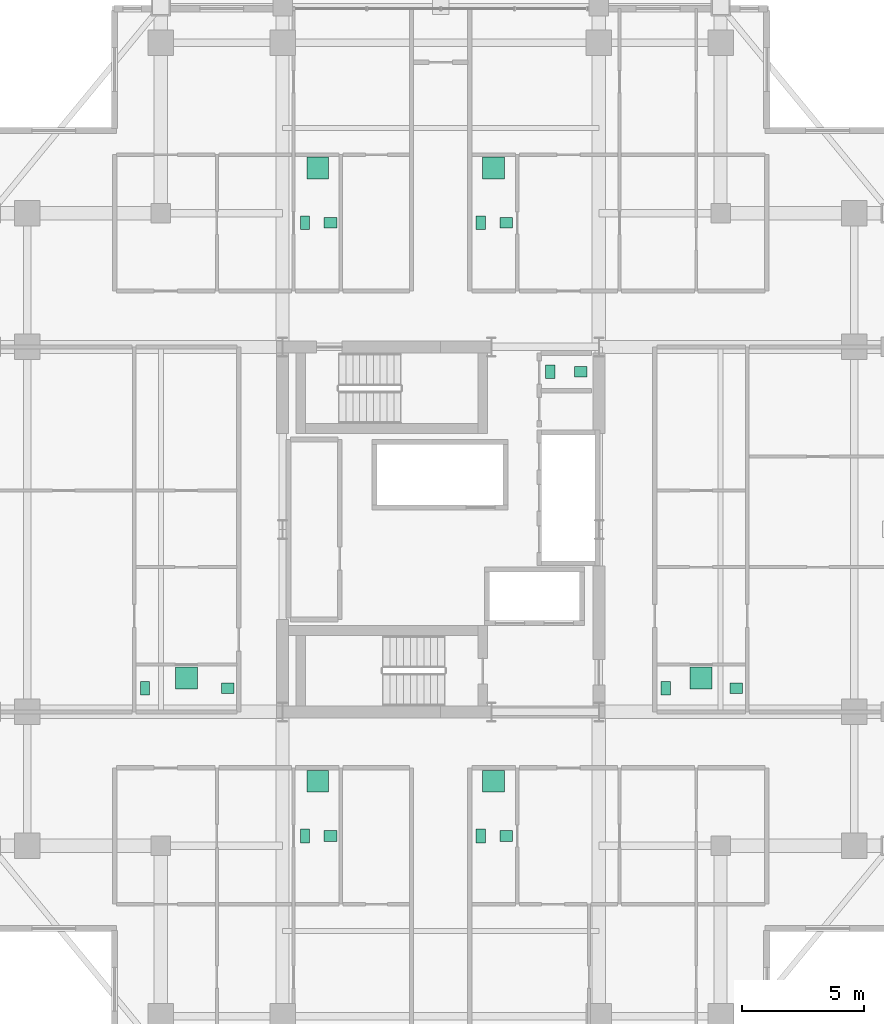
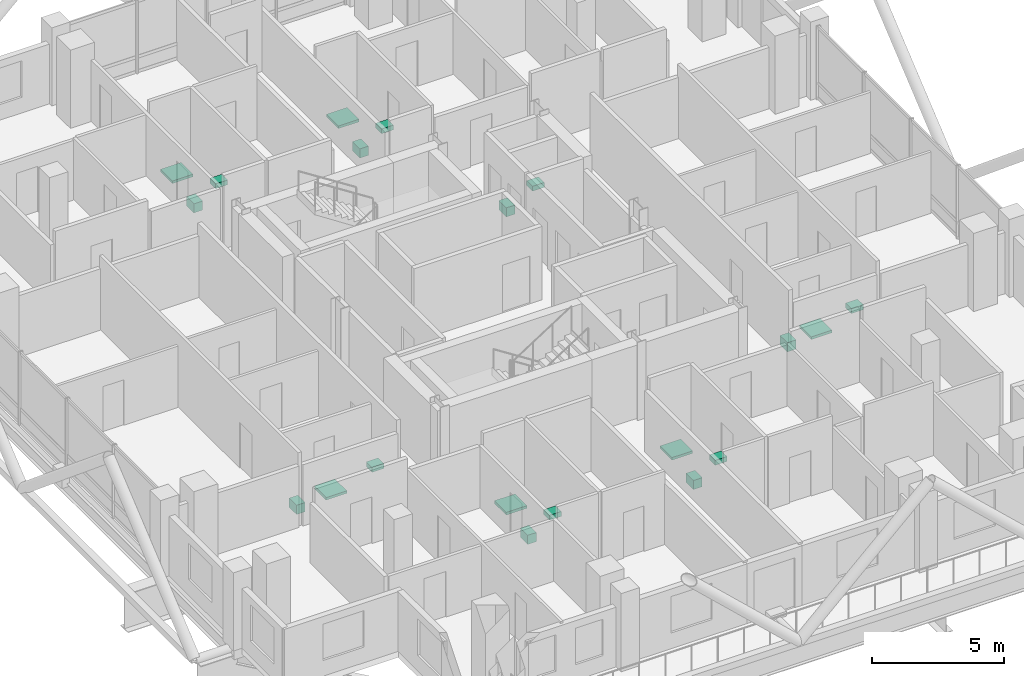
# One storey, part 23 of 23: 20 sanitary terminals.
"""IFC4 building model written with IfcOpenShell, lengths in metres."""

from ifc_helpers import new_model, si_unit, direction, frame, origin, origin_2d, place, context, subcontext, project, spatial, rectangle, extrude, material, type_object, element, save


model = new_model("IFC4")

# Units and contexts
model_context = context("Model", 3, precision=1e-05, world=origin(), true_north=direction((0.0, 1.0)))
body_context = subcontext(model_context, "Body", "Model", "MODEL_VIEW")
ifc_project = project(units=[si_unit("LENGTHUNIT", "METRE"), si_unit("AREAUNIT", "SQUARE_METRE"), si_unit("VOLUMEUNIT", "CUBIC_METRE"), si_unit("PLANEANGLEUNIT", "RADIAN"), si_unit("MASSUNIT", "GRAM", prefix="KILO")], contexts=[model_context])

# Site, building, storey
site_placement = place(None, origin())
site = spatial("IfcSite", under=ifc_project, at=site_placement, CompositionType="ELEMENT")
building_placement = place(site_placement, origin())
building = spatial("IfcBuilding", under=site, at=building_placement, Name="Barlavira Tower and Art Museum", CompositionType="ELEMENT")
storey_placement = place(building_placement, frame((0.0, 0.0, 165.60009765625)))
storey = spatial("IfcBuildingStorey", under=building, at=storey_placement, Name="L42", CompositionType="ELEMENT", Elevation=165.60009765625)

# Sanitary terminals
ifc_material = material(Name="Vitreous glazed ceramic", Category="ceramic")
sanitary_terminal_type_1 = type_object("IfcSanitaryTerminalType", Name="Countertop Ceramic Wash Hand Basin", PredefinedType="WASHHANDBASIN", material=ifc_material)
for number, where, z_axis, x_axis, name in (
    (1, (5.75, 6.47509765625, 0.73974609375), (0.0, 0.0, 1.0), (1.0, 0.0, 0.0), "L42-C-WC1 Wash Basin"),
    (2, (-4.530029296875, -12.60009765625, 0.73974609375), (0.0, 0.0, 1.0), (1.0, 0.0, 0.0), "L42-SW1-BTH1 Wash Basin"),
    (3, (2.699951171875, -12.60009765625, 0.73974609375), (0.0, 0.0, 1.0), (1.0, 0.0, 0.0), "L42-SE1-BTH1 Wash Basin"),
    (4, (-4.530029296875, 12.60009765625, 0.73974609375), (0.0, 0.0, 1.0), (1.0, 0.0, 0.0), "L42-NW1-BTH1 Wash Basin"),
    (5, (2.699951171875, 12.60009765625, 0.73974609375), (0.0, 0.0, 1.0), (1.0, 0.0, 0.0), "L42-NE1-BTH1 Wash Basin"),
    (6, (-8.75, -6.52490234375, 0.73974609375), (0.0, 0.0, 1.0), (1.0, 0.0, 0.0), "L42-W1-BTH1 Wash Basin"),
    (7, (12.14990234375, -6.52490234375, 0.73974609375), (0.0, 0.0, 1.0), (1.0, 0.0, 0.0), "L42-E1-BTH1 Wash Basin"),
):
    element("IfcSanitaryTerminal", number, at=place(storey_placement, frame(where, z_axis=z_axis, x_axis=x_axis)), inside=storey, type_object=sanitary_terminal_type_1, Name=name, PredefinedType="WASHHANDBASIN", context=body_context, shape_type="SweptSolid", body=[
        extrude(rectangle(XDim=0.52001953125, YDim=0.43994140625, at=origin_2d()), origin(), (0.0, 0.0, 1.0), 0.219970703125),
    ])
sanitary_terminal_type_2 = type_object("IfcSanitaryTerminalType", Name="Walk-In Thermostatic Rain Shower Unit", PredefinedType="SHOWER", material=ifc_material)
for number, where, z_axis, x_axis, name in (
    (8, (-5.054931640625, -10.35009765625, -0.000244140625), (0.0, 0.0, 1.0), (1.0, 0.0, 0.0), "L42-SW1-BTH1 Rain Shower"),
    (9, (2.175048828125, -10.35009765625, -0.000244140625), (0.0, 0.0, 1.0), (1.0, 0.0, 0.0), "L42-SE1-BTH1 Rain Shower"),
    (10, (-5.054931640625, 14.85009765625, -0.000244140625), (0.0, 0.0, 1.0), (1.0, 0.0, 0.0), "L42-NW1-BTH1 Rain Shower"),
    (11, (2.175048828125, 14.85009765625, -0.000244140625), (0.0, 0.0, 1.0), (1.0, 0.0, 0.0), "L42-NE1-BTH1 Rain Shower"),
    (12, (-10.449951171875, -6.10009765625, -0.000244140625), (0.0, 0.0, 1.0), (1.0, 0.0, 0.0), "L42-W1-BTH1 Rain Shower"),
    (13, (10.699951171875, -6.10009765625, -0.000244140625), (0.0, 0.0, 1.0), (1.0, 0.0, 0.0), "L42-E1-BTH1 Rain Shower"),
):
    element("IfcSanitaryTerminal", number, at=place(storey_placement, frame(where, z_axis=z_axis, x_axis=x_axis)), inside=storey, type_object=sanitary_terminal_type_2, Name=name, PredefinedType="SHOWER", context=body_context, shape_type="SweptSolid", body=[
        extrude(rectangle(XDim=0.89990234375, YDim=0.89990234375, at=origin_2d()), origin(), (0.0, 0.0, 1.0), 0.1201171875),
    ])
sanitary_terminal_type_3 = type_object("IfcSanitaryTerminalType", Name="Wall-Hung Dual-Flush Vitreous WC Pan", PredefinedType="TOILETPAN", material=ifc_material)
for number, where, z_axis, x_axis, name in (
    (14, (4.5, 6.47509765625, 0.0), (0.0, 0.0, 1.0), (1.0, 0.0, 0.0), "L42-C-WC1 WC Pan"),
    (15, (-5.580078125, -12.60009765625, 0.0), (0.0, 0.0, 1.0), (1.0, 0.0, 0.0), "L42-SW1-BTH1 WC Pan"),
    (16, (1.64990234375, -12.60009765625, 0.0), (0.0, 0.0, 1.0), (1.0, 0.0, 0.0), "L42-SE1-BTH1 WC Pan"),
    (17, (-5.580078125, 12.60009765625, 0.0), (0.0, 0.0, 1.0), (1.0, 0.0, 0.0), "L42-NW1-BTH1 WC Pan"),
    (18, (1.64990234375, 12.60009765625, 0.0), (0.0, 0.0, 1.0), (1.0, 0.0, 0.0), "L42-NE1-BTH1 WC Pan"),
    (19, (-12.14990234375, -6.52490234375, 0.0), (0.0, 0.0, 1.0), (1.0, 0.0, 0.0), "L42-W1-BTH1 WC Pan"),
    (20, (9.25, -6.52490234375, 0.0), (0.0, 0.0, 1.0), (1.0, 0.0, 0.0), "L42-E1-BTH1 WC Pan"),
):
    element("IfcSanitaryTerminal", number, at=place(storey_placement, frame(where, z_axis=z_axis, x_axis=x_axis)), inside=storey, type_object=sanitary_terminal_type_3, Name=name, PredefinedType="TOILETPAN", context=body_context, shape_type="SweptSolid", body=[
        extrude(rectangle(XDim=0.3798828125, YDim=0.56005859375, at=origin_2d()), origin(), (0.0, 0.0, 1.0), 0.419921875),
    ])

save(model, "model.ifc")
